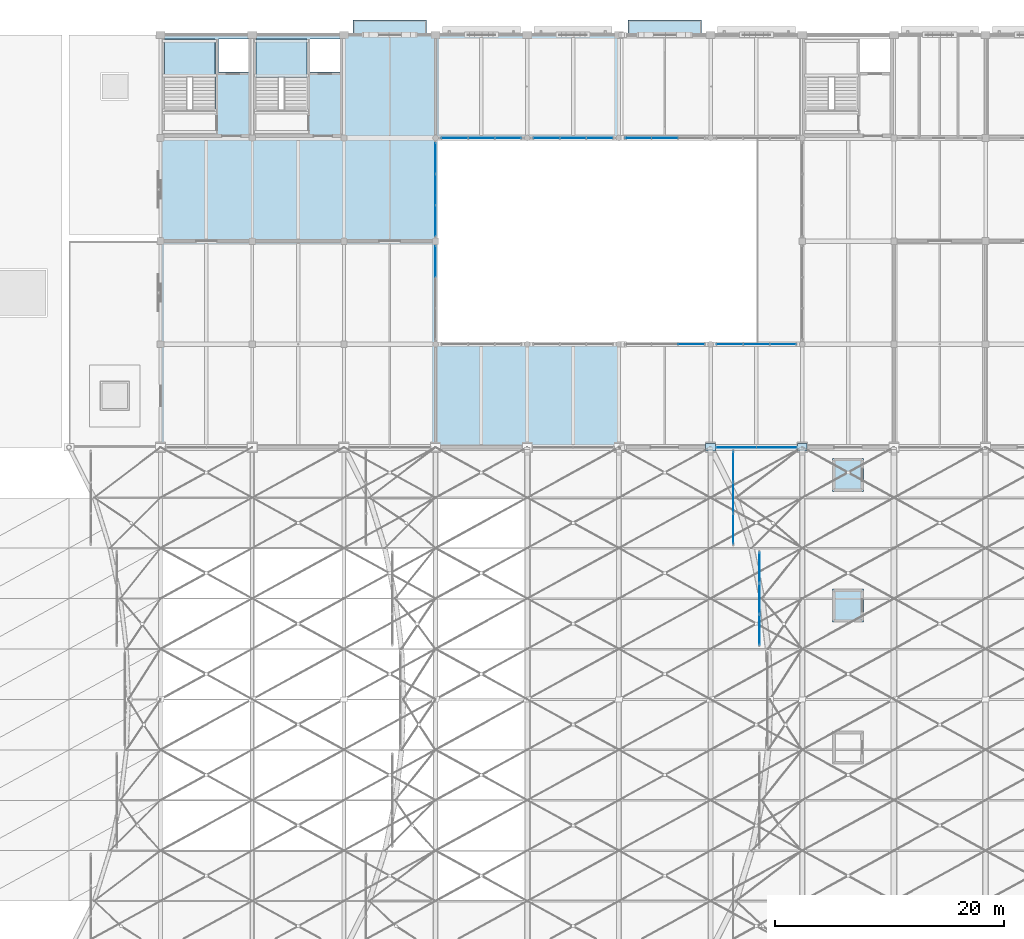
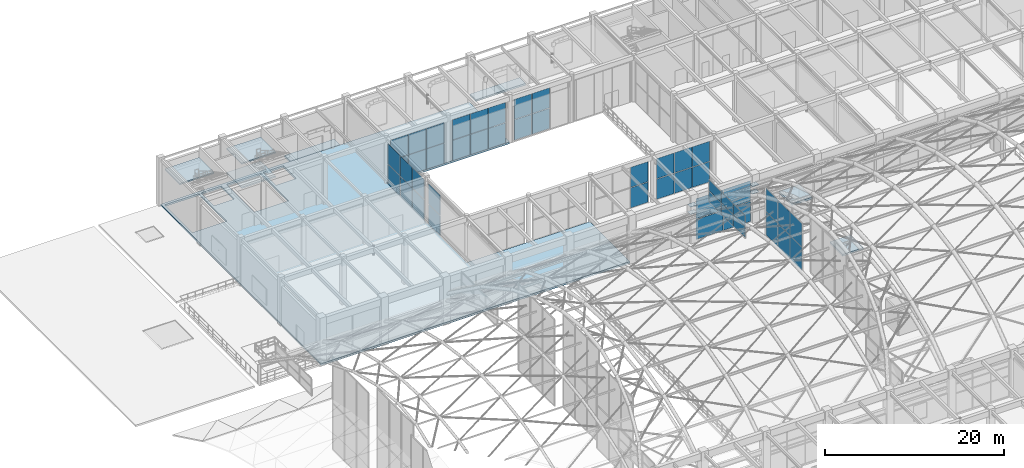
# One storey, part 116 of 163: 52 plates, 8 slabs, 12 elements without a shape of their own.
"""IFC4 building model written with IfcOpenShell, lengths in metres."""

from ifc_helpers import new_model, si_unit, direction, frame, origin, origin_2d, place, context, subcontext, project, spatial, polyline, rectangle, outline, extrude, material, layer, layer_set, type_object, element, aggregate, save


model = new_model("IFC4")

# Units and contexts
model_context = context("Model", 3, precision=1e-05, world=origin(), true_north=direction((0.0, 1.0)))
body_context = subcontext(model_context, "Body", "Model", "MODEL_VIEW")
ifc_project = project(units=[si_unit("LENGTHUNIT", "METRE"), si_unit("AREAUNIT", "SQUARE_METRE"), si_unit("VOLUMEUNIT", "CUBIC_METRE"), si_unit("PLANEANGLEUNIT", "RADIAN"), si_unit("MASSUNIT", "GRAM", prefix="KILO")], contexts=[model_context])

# Site, building, storey
site_placement = place(None, origin())
site = spatial("IfcSite", under=ifc_project, at=site_placement, CompositionType="ELEMENT")
building_placement = place(site_placement, origin())
building = spatial("IfcBuilding", under=site, at=building_placement, Name="Varnabhumi Central Station", CompositionType="ELEMENT")
storey_placement = place(building_placement, frame((0.0, 0.0, 9.60009765625)))
storey = spatial("IfcBuildingStorey", under=building, at=storey_placement, Name="L02", CompositionType="ELEMENT", Elevation=9.60009765625)

# Curtain wall, plates
ifc_material_1 = material(Name="Anodised aluminium 6063-T6", Category="aluminium")
curtain_wall_type_1 = type_object("IfcCurtainWallType", Name="CW-PATIO-LOGGIA-L2", PredefinedType="NOTDEFINED", material=ifc_material_1)
curtain_wall_1_placement = place(storey_placement, origin())
curtain_wall_1 = element("IfcCurtainWall", 1, at=curtain_wall_1_placement, inside=storey, type_object=curtain_wall_type_1, Name="Curtain Wall CW-NP2E1", PredefinedType="NOTDEFINED")
ifc_material_2 = material(Name="Laminated low-E double glazing", Category="glass")
ifc_layer_1 = layer(ifc_material_2, 0.035888671875, Name="Laminated low-E double glazing", Category="glass")
ifc_layer_set_1 = layer_set([ifc_layer_1], Name="Laminated low-E double glazing")
plate_type_1 = type_object("IfcPlateType", Name="CW-PNL-GLZ-2", PredefinedType="CURTAIN_PANEL", material=ifc_layer_set_1)
plate_1_placement = place(storey_placement, frame((48.0, 96.219970703125, 0.0400390625), z_axis=(0.0, 0.0, 1.0), x_axis=(0.0, 1.0, 0.0)))
plate_1 = element("IfcPlate", 2, at=plate_1_placement, type_object=plate_type_1, Name="Glazed Panel CW-NP2E1-P31", PredefinedType="CURTAIN_PANEL", context=body_context, shape_type="SweptSolid", body=[
    extrude(rectangle(XDim=2.639892578125, YDim=0.035888671875, at=origin_2d()), origin(), (0.0, 0.0, 1.0), 2.739990234375),
])
plate_2_placement = place(storey_placement, frame((48.0, 96.219970703125, 2.85986328125), z_axis=(0.0, 0.0, 1.0), x_axis=(0.0, 1.0, 0.0)))
plate_2 = element("IfcPlate", 3, at=plate_2_placement, type_object=plate_type_1, Name="Glazed Panel CW-NP2E1-P32", PredefinedType="CURTAIN_PANEL", context=body_context, shape_type="SweptSolid", body=[
    extrude(rectangle(XDim=2.639892578125, YDim=0.035888671875, at=origin_2d()), origin(), (0.0, 0.0, 1.0), 2.739990234375),
])
aggregate(curtain_wall_1, [plate_1, plate_2])

curtain_wall_2_placement = place(storey_placement, origin())
curtain_wall_2 = element("IfcCurtainWall", 4, at=curtain_wall_2_placement, inside=storey, type_object=curtain_wall_type_1, Name="Curtain Wall CW-NP2E2", PredefinedType="NOTDEFINED")
plate_3_placement = place(storey_placement, frame((48.0, 99.780029296875, 0.0400390625), z_axis=(0.0, 0.0, 1.0), x_axis=(0.0, 1.0, 0.0)))
plate_3 = element("IfcPlate", 5, at=plate_3_placement, type_object=plate_type_1, Name="Glazed Panel CW-NP2E2-P11", PredefinedType="CURTAIN_PANEL", context=body_context, shape_type="SweptSolid", body=[
    extrude(rectangle(XDim=2.639892578125, YDim=0.035888671875, at=origin_2d()), origin(), (0.0, 0.0, 1.0), 2.739990234375),
])
plate_4_placement = place(storey_placement, frame((48.0, 99.780029296875, 2.85986328125), z_axis=(0.0, 0.0, 1.0), x_axis=(0.0, 1.0, 0.0)))
plate_4 = element("IfcPlate", 6, at=plate_4_placement, type_object=plate_type_1, Name="Glazed Panel CW-NP2E2-P12", PredefinedType="CURTAIN_PANEL", context=body_context, shape_type="SweptSolid", body=[
    extrude(rectangle(XDim=2.639892578125, YDim=0.035888671875, at=origin_2d()), origin(), (0.0, 0.0, 1.0), 2.739990234375),
])
plate_5_placement = place(storey_placement, frame((48.0, 102.5, 0.0400390625), z_axis=(0.0, 0.0, 1.0), x_axis=(0.0, 1.0, 0.0)))
plate_5 = element("IfcPlate", 7, at=plate_5_placement, type_object=plate_type_1, Name="Glazed Panel CW-NP2E2-P21", PredefinedType="CURTAIN_PANEL", context=body_context, shape_type="SweptSolid", body=[
    extrude(rectangle(XDim=2.639892578125, YDim=0.035888671875, at=origin_2d()), origin(), (0.0, 0.0, 1.0), 2.739990234375),
])
plate_6_placement = place(storey_placement, frame((48.0, 102.5, 2.85986328125), z_axis=(0.0, 0.0, 1.0), x_axis=(0.0, 1.0, 0.0)))
plate_6 = element("IfcPlate", 8, at=plate_6_placement, type_object=plate_type_1, Name="Glazed Panel CW-NP2E2-P22", PredefinedType="CURTAIN_PANEL", context=body_context, shape_type="SweptSolid", body=[
    extrude(rectangle(XDim=2.639892578125, YDim=0.035888671875, at=origin_2d()), origin(), (0.0, 0.0, 1.0), 2.739990234375),
])
plate_7_placement = place(storey_placement, frame((48.0, 105.219970703125, 0.0400390625), z_axis=(0.0, 0.0, 1.0), x_axis=(0.0, 1.0, 0.0)))
plate_7 = element("IfcPlate", 9, at=plate_7_placement, type_object=plate_type_1, Name="Glazed Panel CW-NP2E2-P31", PredefinedType="CURTAIN_PANEL", context=body_context, shape_type="SweptSolid", body=[
    extrude(rectangle(XDim=2.639892578125, YDim=0.035888671875, at=origin_2d()), origin(), (0.0, 0.0, 1.0), 2.739990234375),
])
plate_8_placement = place(storey_placement, frame((48.0, 105.219970703125, 2.85986328125), z_axis=(0.0, 0.0, 1.0), x_axis=(0.0, 1.0, 0.0)))
plate_8 = element("IfcPlate", 10, at=plate_8_placement, type_object=plate_type_1, Name="Glazed Panel CW-NP2E2-P32", PredefinedType="CURTAIN_PANEL", context=body_context, shape_type="SweptSolid", body=[
    extrude(rectangle(XDim=2.639892578125, YDim=0.035888671875, at=origin_2d()), origin(), (0.0, 0.0, 1.0), 2.739990234375),
])
aggregate(curtain_wall_2, [plate_3, plate_4, plate_5, plate_6, plate_7, plate_8])

curtain_wall_3_placement = place(storey_placement, origin())
curtain_wall_3 = element("IfcCurtainWall", 11, at=curtain_wall_3_placement, inside=storey, type_object=curtain_wall_type_1, Name="Curtain Wall CW-NP2N1", PredefinedType="NOTDEFINED")
ifc_layer_2 = layer(ifc_material_2, 0.035888671875, Name="Laminated low-E double glazing", Category="glass")
ifc_layer_set_2 = layer_set([ifc_layer_2], Name="Laminated low-E double glazing")
plate_type_2 = type_object("IfcPlateType", Name="CW-PNL-GLZ-3", PredefinedType="CURTAIN_PANEL", material=ifc_layer_set_2)
plate_9_placement = place(storey_placement, frame((49.679931640625, 107.0, 0.0400390625), z_axis=(0.0, 0.0, 1.0), x_axis=(1.0, 0.0, 0.0)))
plate_9 = element("IfcPlate", 12, at=plate_9_placement, type_object=plate_type_2, Name="Glazed Panel CW-NP2N1-P11", PredefinedType="CURTAIN_PANEL", context=body_context, shape_type="SweptSolid", body=[
    extrude(rectangle(XDim=2.239990234375, YDim=0.035888671875, at=origin_2d()), origin(), (0.0, 0.0, 1.0), 2.739990234375),
])
plate_10_placement = place(storey_placement, frame((49.679931640625, 107.0, 2.85986328125), z_axis=(0.0, 0.0, 1.0), x_axis=(1.0, 0.0, 0.0)))
plate_10 = element("IfcPlate", 13, at=plate_10_placement, type_object=plate_type_2, Name="Glazed Panel CW-NP2N1-P12", PredefinedType="CURTAIN_PANEL", context=body_context, shape_type="SweptSolid", body=[
    extrude(rectangle(XDim=2.239990234375, YDim=0.035888671875, at=origin_2d()), origin(), (0.0, 0.0, 1.0), 2.739990234375),
])
plate_11_placement = place(storey_placement, frame((52.0, 107.0, 0.0400390625), z_axis=(0.0, 0.0, 1.0), x_axis=(1.0, 0.0, 0.0)))
plate_11 = element("IfcPlate", 14, at=plate_11_placement, type_object=plate_type_2, Name="Glazed Panel CW-NP2N1-P21", PredefinedType="CURTAIN_PANEL", context=body_context, shape_type="SweptSolid", body=[
    extrude(rectangle(XDim=2.239990234375, YDim=0.035888671875, at=origin_2d()), origin(), (0.0, 0.0, 1.0), 2.739990234375),
])
plate_12_placement = place(storey_placement, frame((52.0, 107.0, 2.85986328125), z_axis=(0.0, 0.0, 1.0), x_axis=(1.0, 0.0, 0.0)))
plate_12 = element("IfcPlate", 15, at=plate_12_placement, type_object=plate_type_2, Name="Glazed Panel CW-NP2N1-P22", PredefinedType="CURTAIN_PANEL", context=body_context, shape_type="SweptSolid", body=[
    extrude(rectangle(XDim=2.239990234375, YDim=0.035888671875, at=origin_2d()), origin(), (0.0, 0.0, 1.0), 2.739990234375),
])
plate_13_placement = place(storey_placement, frame((54.320068359375, 107.0, 0.0400390625), z_axis=(0.0, 0.0, 1.0), x_axis=(1.0, 0.0, 0.0)))
plate_13 = element("IfcPlate", 16, at=plate_13_placement, type_object=plate_type_2, Name="Glazed Panel CW-NP2N1-P31", PredefinedType="CURTAIN_PANEL", context=body_context, shape_type="SweptSolid", body=[
    extrude(rectangle(XDim=2.239990234375, YDim=0.035888671875, at=origin_2d()), origin(), (0.0, 0.0, 1.0), 2.739990234375),
])
plate_14_placement = place(storey_placement, frame((54.320068359375, 107.0, 2.85986328125), z_axis=(0.0, 0.0, 1.0), x_axis=(1.0, 0.0, 0.0)))
plate_14 = element("IfcPlate", 17, at=plate_14_placement, type_object=plate_type_2, Name="Glazed Panel CW-NP2N1-P32", PredefinedType="CURTAIN_PANEL", context=body_context, shape_type="SweptSolid", body=[
    extrude(rectangle(XDim=2.239990234375, YDim=0.035888671875, at=origin_2d()), origin(), (0.0, 0.0, 1.0), 2.739990234375),
])
aggregate(curtain_wall_3, [plate_9, plate_10, plate_11, plate_12, plate_13, plate_14])

curtain_wall_4_placement = place(storey_placement, origin())
curtain_wall_4 = element("IfcCurtainWall", 18, at=curtain_wall_4_placement, inside=storey, type_object=curtain_wall_type_1, Name="Curtain Wall CW-NP2N2", PredefinedType="NOTDEFINED")
ifc_layer_3 = layer(ifc_material_2, 0.035888671875, Name="Laminated low-E double glazing", Category="glass")
ifc_layer_set_3 = layer_set([ifc_layer_3], Name="Laminated low-E double glazing")
plate_type_3 = type_object("IfcPlateType", Name="CW-PNL-GLZ-4", PredefinedType="CURTAIN_PANEL", material=ifc_layer_set_3)
plate_15_placement = place(storey_placement, frame((57.679931640625, 107.0, 0.0400390625), z_axis=(0.0, 0.0, 1.0), x_axis=(1.0, 0.0, 0.0)))
plate_15 = element("IfcPlate", 19, at=plate_15_placement, type_object=plate_type_3, Name="Glazed Panel CW-NP2N2-P11", PredefinedType="CURTAIN_PANEL", context=body_context, shape_type="SweptSolid", body=[
    extrude(rectangle(XDim=2.239990234375, YDim=0.035888671875, at=origin_2d()), origin(), (0.0, 0.0, 1.0), 2.739990234375),
])
plate_16_placement = place(storey_placement, frame((57.679931640625, 107.0, 2.85986328125), z_axis=(0.0, 0.0, 1.0), x_axis=(1.0, 0.0, 0.0)))
plate_16 = element("IfcPlate", 20, at=plate_16_placement, type_object=plate_type_3, Name="Glazed Panel CW-NP2N2-P12", PredefinedType="CURTAIN_PANEL", context=body_context, shape_type="SweptSolid", body=[
    extrude(rectangle(XDim=2.239990234375, YDim=0.035888671875, at=origin_2d()), origin(), (0.0, 0.0, 1.0), 2.739990234375),
])
plate_17_placement = place(storey_placement, frame((60.0, 107.0, 0.0400390625), z_axis=(0.0, 0.0, 1.0), x_axis=(1.0, 0.0, 0.0)))
plate_17 = element("IfcPlate", 21, at=plate_17_placement, type_object=plate_type_3, Name="Glazed Panel CW-NP2N2-P21", PredefinedType="CURTAIN_PANEL", context=body_context, shape_type="SweptSolid", body=[
    extrude(rectangle(XDim=2.239990234375, YDim=0.035888671875, at=origin_2d()), origin(), (0.0, 0.0, 1.0), 2.739990234375),
])
plate_18_placement = place(storey_placement, frame((60.0, 107.0, 2.85986328125), z_axis=(0.0, 0.0, 1.0), x_axis=(1.0, 0.0, 0.0)))
plate_18 = element("IfcPlate", 22, at=plate_18_placement, type_object=plate_type_3, Name="Glazed Panel CW-NP2N2-P22", PredefinedType="CURTAIN_PANEL", context=body_context, shape_type="SweptSolid", body=[
    extrude(rectangle(XDim=2.239990234375, YDim=0.035888671875, at=origin_2d()), origin(), (0.0, 0.0, 1.0), 2.739990234375),
])
plate_19_placement = place(storey_placement, frame((62.320068359375, 107.0, 0.0400390625), z_axis=(0.0, 0.0, 1.0), x_axis=(1.0, 0.0, 0.0)))
plate_19 = element("IfcPlate", 23, at=plate_19_placement, type_object=plate_type_3, Name="Glazed Panel CW-NP2N2-P31", PredefinedType="CURTAIN_PANEL", context=body_context, shape_type="SweptSolid", body=[
    extrude(rectangle(XDim=2.239990234375, YDim=0.035888671875, at=origin_2d()), origin(), (0.0, 0.0, 1.0), 2.739990234375),
])
plate_20_placement = place(storey_placement, frame((62.320068359375, 107.0, 2.85986328125), z_axis=(0.0, 0.0, 1.0), x_axis=(1.0, 0.0, 0.0)))
plate_20 = element("IfcPlate", 24, at=plate_20_placement, type_object=plate_type_3, Name="Glazed Panel CW-NP2N2-P32", PredefinedType="CURTAIN_PANEL", context=body_context, shape_type="SweptSolid", body=[
    extrude(rectangle(XDim=2.239990234375, YDim=0.035888671875, at=origin_2d()), origin(), (0.0, 0.0, 1.0), 2.739990234375),
])
aggregate(curtain_wall_4, [plate_15, plate_16, plate_17, plate_18, plate_19, plate_20])

curtain_wall_type_2 = type_object("IfcCurtainWallType", Name="CW-SPINE-SCREEN-L2", PredefinedType="NOTDEFINED", material=ifc_material_1)
curtain_wall_5_placement = place(storey_placement, origin())
curtain_wall_5 = element("IfcCurtainWall", 25, at=curtain_wall_5_placement, inside=storey, type_object=curtain_wall_type_2, Name="Curtain Wall CW-NS206", PredefinedType="NOTDEFINED")
ifc_layer_4 = layer(ifc_material_2, 0.035888671875, Name="Laminated low-E double glazing", Category="glass")
ifc_layer_set_4 = layer_set([ifc_layer_4], Name="Laminated low-E double glazing")
plate_type_4 = type_object("IfcPlateType", Name="CW-PNL-GLZ-5", PredefinedType="CURTAIN_PANEL", material=ifc_layer_set_4)
plate_21_placement = place(storey_placement, frame((74.22509765625, 80.0, 0.0400390625), z_axis=(0.0, 0.0, 1.0), x_axis=(1.0, 0.0, 0.0)))
plate_21 = element("IfcPlate", 26, at=plate_21_placement, type_object=plate_type_4, Name="Glazed Panel CW-NS206-P11", PredefinedType="CURTAIN_PANEL", context=body_context, shape_type="SweptSolid", body=[
    extrude(rectangle(XDim=3.469970703125, YDim=0.035888671875, at=origin_2d()), origin(), (0.0, 0.0, 1.0), 2.739990234375),
])
plate_22_placement = place(storey_placement, frame((74.22509765625, 80.0, 2.85986328125), z_axis=(0.0, 0.0, 1.0), x_axis=(1.0, 0.0, 0.0)))
plate_22 = element("IfcPlate", 27, at=plate_22_placement, type_object=plate_type_4, Name="Glazed Panel CW-NS206-P12", PredefinedType="CURTAIN_PANEL", context=body_context, shape_type="SweptSolid", body=[
    extrude(rectangle(XDim=3.469970703125, YDim=0.035888671875, at=origin_2d()), origin(), (0.0, 0.0, 1.0), 2.739990234375),
])
plate_23_placement = place(storey_placement, frame((77.77490234375, 80.0, 0.0400390625), z_axis=(0.0, 0.0, 1.0), x_axis=(1.0, 0.0, 0.0)))
plate_23 = element("IfcPlate", 28, at=plate_23_placement, type_object=plate_type_4, Name="Glazed Panel CW-NS206-P21", PredefinedType="CURTAIN_PANEL", context=body_context, shape_type="SweptSolid", body=[
    extrude(rectangle(XDim=3.469970703125, YDim=0.035888671875, at=origin_2d()), origin(), (0.0, 0.0, 1.0), 2.739990234375),
])
plate_24_placement = place(storey_placement, frame((77.77490234375, 80.0, 2.85986328125), z_axis=(0.0, 0.0, 1.0), x_axis=(1.0, 0.0, 0.0)))
plate_24 = element("IfcPlate", 29, at=plate_24_placement, type_object=plate_type_4, Name="Glazed Panel CW-NS206-P22", PredefinedType="CURTAIN_PANEL", context=body_context, shape_type="SweptSolid", body=[
    extrude(rectangle(XDim=3.469970703125, YDim=0.035888671875, at=origin_2d()), origin(), (0.0, 0.0, 1.0), 2.739990234375),
])
aggregate(curtain_wall_5, [plate_21, plate_22, plate_23, plate_24])

curtain_wall_6_placement = place(storey_placement, origin())
curtain_wall_6 = element("IfcCurtainWall", 30, at=curtain_wall_6_placement, inside=storey, type_object=curtain_wall_type_1, Name="Curtain Wall CW-NP2S3", PredefinedType="NOTDEFINED")
plate_25_placement = place(storey_placement, frame((70.320068359375, 89.0, 0.0400390625), z_axis=(0.0, 0.0, 1.0), x_axis=(1.0, 0.0, 0.0)))
plate_25 = element("IfcPlate", 31, at=plate_25_placement, type_object=plate_type_4, Name="Glazed Panel CW-NP2S3-P31", PredefinedType="CURTAIN_PANEL", context=body_context, shape_type="SweptSolid", body=[
    extrude(rectangle(XDim=2.239990234375, YDim=0.035888671875, at=origin_2d()), origin(), (0.0, 0.0, 1.0), 2.739990234375),
])
plate_26_placement = place(storey_placement, frame((70.320068359375, 89.0, 2.85986328125), z_axis=(0.0, 0.0, 1.0), x_axis=(1.0, 0.0, 0.0)))
plate_26 = element("IfcPlate", 32, at=plate_26_placement, type_object=plate_type_4, Name="Glazed Panel CW-NP2S3-P32", PredefinedType="CURTAIN_PANEL", context=body_context, shape_type="SweptSolid", body=[
    extrude(rectangle(XDim=2.239990234375, YDim=0.035888671875, at=origin_2d()), origin(), (0.0, 0.0, 1.0), 2.739990234375),
])
aggregate(curtain_wall_6, [plate_25, plate_26])

curtain_wall_7_placement = place(storey_placement, origin())
curtain_wall_7 = element("IfcCurtainWall", 33, at=curtain_wall_7_placement, inside=storey, type_object=curtain_wall_type_1, Name="Curtain Wall CW-NP2N3", PredefinedType="NOTDEFINED")
plate_27_placement = place(storey_placement, frame((65.679931640625, 107.0, 0.0400390625), z_axis=(0.0, 0.0, 1.0), x_axis=(1.0, 0.0, 0.0)))
plate_27 = element("IfcPlate", 34, at=plate_27_placement, type_object=plate_type_4, Name="Glazed Panel CW-NP2N3-P11", PredefinedType="CURTAIN_PANEL", context=body_context, shape_type="SweptSolid", body=[
    extrude(rectangle(XDim=2.239990234375, YDim=0.035888671875, at=origin_2d()), origin(), (0.0, 0.0, 1.0), 2.739990234375),
])
plate_28_placement = place(storey_placement, frame((65.679931640625, 107.0, 2.85986328125), z_axis=(0.0, 0.0, 1.0), x_axis=(1.0, 0.0, 0.0)))
plate_28 = element("IfcPlate", 35, at=plate_28_placement, type_object=plate_type_4, Name="Glazed Panel CW-NP2N3-P12", PredefinedType="CURTAIN_PANEL", context=body_context, shape_type="SweptSolid", body=[
    extrude(rectangle(XDim=2.239990234375, YDim=0.035888671875, at=origin_2d()), origin(), (0.0, 0.0, 1.0), 2.739990234375),
])
plate_29_placement = place(storey_placement, frame((68.0, 107.0, 0.0400390625), z_axis=(0.0, 0.0, 1.0), x_axis=(1.0, 0.0, 0.0)))
plate_29 = element("IfcPlate", 36, at=plate_29_placement, type_object=plate_type_4, Name="Glazed Panel CW-NP2N3-P21", PredefinedType="CURTAIN_PANEL", context=body_context, shape_type="SweptSolid", body=[
    extrude(rectangle(XDim=2.239990234375, YDim=0.035888671875, at=origin_2d()), origin(), (0.0, 0.0, 1.0), 2.739990234375),
])
plate_30_placement = place(storey_placement, frame((68.0, 107.0, 2.85986328125), z_axis=(0.0, 0.0, 1.0), x_axis=(1.0, 0.0, 0.0)))
plate_30 = element("IfcPlate", 37, at=plate_30_placement, type_object=plate_type_4, Name="Glazed Panel CW-NP2N3-P22", PredefinedType="CURTAIN_PANEL", context=body_context, shape_type="SweptSolid", body=[
    extrude(rectangle(XDim=2.239990234375, YDim=0.035888671875, at=origin_2d()), origin(), (0.0, 0.0, 1.0), 2.739990234375),
])
aggregate(curtain_wall_7, [plate_27, plate_28, plate_29, plate_30])

curtain_wall_8_placement = place(storey_placement, origin())
curtain_wall_8 = element("IfcCurtainWall", 38, at=curtain_wall_8_placement, inside=storey, type_object=curtain_wall_type_1, Name="Curtain Wall CW-NP2S4", PredefinedType="NOTDEFINED")
ifc_layer_5 = layer(ifc_material_2, 0.035888671875, Name="Laminated low-E double glazing", Category="glass")
ifc_layer_set_5 = layer_set([ifc_layer_5], Name="Laminated low-E double glazing")
plate_type_5 = type_object("IfcPlateType", Name="CW-PNL-GLZ-6", PredefinedType="CURTAIN_PANEL", material=ifc_layer_set_5)
plate_31_placement = place(storey_placement, frame((73.679931640625, 89.0, 0.0400390625), z_axis=(0.0, 0.0, 1.0), x_axis=(1.0, 0.0, 0.0)))
plate_31 = element("IfcPlate", 39, at=plate_31_placement, type_object=plate_type_5, Name="Glazed Panel CW-NP2S4-P11", PredefinedType="CURTAIN_PANEL", context=body_context, shape_type="SweptSolid", body=[
    extrude(rectangle(XDim=2.239990234375, YDim=0.035888671875, at=origin_2d()), origin(), (0.0, 0.0, 1.0), 2.739990234375),
])
plate_32_placement = place(storey_placement, frame((73.679931640625, 89.0, 2.85986328125), z_axis=(0.0, 0.0, 1.0), x_axis=(1.0, 0.0, 0.0)))
plate_32 = element("IfcPlate", 40, at=plate_32_placement, type_object=plate_type_5, Name="Glazed Panel CW-NP2S4-P12", PredefinedType="CURTAIN_PANEL", context=body_context, shape_type="SweptSolid", body=[
    extrude(rectangle(XDim=2.239990234375, YDim=0.035888671875, at=origin_2d()), origin(), (0.0, 0.0, 1.0), 2.739990234375),
])
plate_33_placement = place(storey_placement, frame((76.0, 89.0, 0.0400390625), z_axis=(0.0, 0.0, 1.0), x_axis=(1.0, 0.0, 0.0)))
plate_33 = element("IfcPlate", 41, at=plate_33_placement, type_object=plate_type_5, Name="Glazed Panel CW-NP2S4-P21", PredefinedType="CURTAIN_PANEL", context=body_context, shape_type="SweptSolid", body=[
    extrude(rectangle(XDim=2.239990234375, YDim=0.035888671875, at=origin_2d()), origin(), (0.0, 0.0, 1.0), 2.739990234375),
])
plate_34_placement = place(storey_placement, frame((76.0, 89.0, 2.85986328125), z_axis=(0.0, 0.0, 1.0), x_axis=(1.0, 0.0, 0.0)))
plate_34 = element("IfcPlate", 42, at=plate_34_placement, type_object=plate_type_5, Name="Glazed Panel CW-NP2S4-P22", PredefinedType="CURTAIN_PANEL", context=body_context, shape_type="SweptSolid", body=[
    extrude(rectangle(XDim=2.239990234375, YDim=0.035888671875, at=origin_2d()), origin(), (0.0, 0.0, 1.0), 2.739990234375),
])
plate_35_placement = place(storey_placement, frame((78.320068359375, 89.0, 0.0400390625), z_axis=(0.0, 0.0, 1.0), x_axis=(1.0, 0.0, 0.0)))
plate_35 = element("IfcPlate", 43, at=plate_35_placement, type_object=plate_type_5, Name="Glazed Panel CW-NP2S4-P31", PredefinedType="CURTAIN_PANEL", context=body_context, shape_type="SweptSolid", body=[
    extrude(rectangle(XDim=2.239990234375, YDim=0.035888671875, at=origin_2d()), origin(), (0.0, 0.0, 1.0), 2.739990234375),
])
plate_36_placement = place(storey_placement, frame((78.320068359375, 89.0, 2.85986328125), z_axis=(0.0, 0.0, 1.0), x_axis=(1.0, 0.0, 0.0)))
plate_36 = element("IfcPlate", 44, at=plate_36_placement, type_object=plate_type_5, Name="Glazed Panel CW-NP2S4-P32", PredefinedType="CURTAIN_PANEL", context=body_context, shape_type="SweptSolid", body=[
    extrude(rectangle(XDim=2.239990234375, YDim=0.035888671875, at=origin_2d()), origin(), (0.0, 0.0, 1.0), 2.739990234375),
])
aggregate(curtain_wall_8, [plate_31, plate_32, plate_33, plate_34, plate_35, plate_36])

curtain_wall_type_3 = type_object("IfcCurtainWallType", Name="CW-VAULT-ARCH-V4", PredefinedType="NOTDEFINED", material=ifc_material_1)
curtain_wall_9_placement = place(storey_placement, origin())
curtain_wall_9 = element("IfcCurtainWall", 45, at=curtain_wall_9_placement, inside=storey, type_object=curtain_wall_type_3, Name="Curtain Wall CW-V44", PredefinedType="NOTDEFINED")
ifc_layer_6 = layer(ifc_material_2, 0.035888671875, Name="Laminated low-E double glazing", Category="glass")
ifc_layer_set_6 = layer_set([ifc_layer_6], Name="Laminated low-E double glazing")
plate_type_6 = type_object("IfcPlateType", Name="CW-PNL-GLZ-9", PredefinedType="CURTAIN_PANEL", material=ifc_layer_set_6)
plate_37_placement = place(storey_placement, frame((76.258056640625, 64.10009765625, 4.889892578125), z_axis=(0.0, 0.0, 1.0), x_axis=(0.0, 1.0, 0.0)))
plate_37 = element("IfcPlate", 46, at=plate_37_placement, type_object=plate_type_6, Name="Glazed Panel CW-V44-P11", PredefinedType="CURTAIN_PANEL", context=body_context, shape_type="SweptSolid", body=[
    extrude(rectangle(XDim=2.6201171875, YDim=0.035888671875, at=origin_2d()), origin(), (0.0, 0.0, 1.0), 3.16357421875),
])
plate_38_placement = place(storey_placement, frame((76.258056640625, 64.10009765625, 8.133544921875), z_axis=(0.0, 0.0, 1.0), x_axis=(0.0, 1.0, 0.0)))
plate_38 = element("IfcPlate", 47, at=plate_38_placement, type_object=plate_type_6, Name="Glazed Panel CW-V44-P12", PredefinedType="CURTAIN_PANEL", context=body_context, shape_type="SweptSolid", body=[
    extrude(rectangle(XDim=2.6201171875, YDim=0.035888671875, at=origin_2d()), origin(), (0.0, 0.0, 1.0), 3.16357421875),
])
plate_39_placement = place(storey_placement, frame((76.258056640625, 66.800048828125, 4.889892578125), z_axis=(0.0, 0.0, 1.0), x_axis=(0.0, 1.0, 0.0)))
plate_39 = element("IfcPlate", 48, at=plate_39_placement, type_object=plate_type_6, Name="Glazed Panel CW-V44-P21", PredefinedType="CURTAIN_PANEL", context=body_context, shape_type="SweptSolid", body=[
    extrude(rectangle(XDim=2.6201171875, YDim=0.035888671875, at=origin_2d()), origin(), (0.0, 0.0, 1.0), 3.16357421875),
])
plate_40_placement = place(storey_placement, frame((76.258056640625, 66.800048828125, 8.133544921875), z_axis=(0.0, 0.0, 1.0), x_axis=(0.0, 1.0, 0.0)))
plate_40 = element("IfcPlate", 49, at=plate_40_placement, type_object=plate_type_6, Name="Glazed Panel CW-V44-P22", PredefinedType="CURTAIN_PANEL", context=body_context, shape_type="SweptSolid", body=[
    extrude(rectangle(XDim=2.6201171875, YDim=0.035888671875, at=origin_2d()), origin(), (0.0, 0.0, 1.0), 3.16357421875),
])
plate_41_placement = place(storey_placement, frame((76.258056640625, 69.5, 4.889892578125), z_axis=(0.0, 0.0, 1.0), x_axis=(0.0, 1.0, 0.0)))
plate_41 = element("IfcPlate", 50, at=plate_41_placement, type_object=plate_type_6, Name="Glazed Panel CW-V44-P31", PredefinedType="CURTAIN_PANEL", context=body_context, shape_type="SweptSolid", body=[
    extrude(rectangle(XDim=2.6201171875, YDim=0.035888671875, at=origin_2d()), origin(), (0.0, 0.0, 1.0), 3.16357421875),
])
plate_42_placement = place(storey_placement, frame((76.258056640625, 69.5, 8.133544921875), z_axis=(0.0, 0.0, 1.0), x_axis=(0.0, 1.0, 0.0)))
plate_42 = element("IfcPlate", 51, at=plate_42_placement, type_object=plate_type_6, Name="Glazed Panel CW-V44-P32", PredefinedType="CURTAIN_PANEL", context=body_context, shape_type="SweptSolid", body=[
    extrude(rectangle(XDim=2.6201171875, YDim=0.035888671875, at=origin_2d()), origin(), (0.0, 0.0, 1.0), 3.16357421875),
])
aggregate(curtain_wall_9, [plate_37, plate_38, plate_39, plate_40, plate_41, plate_42])

curtain_wall_10_placement = place(storey_placement, origin())
curtain_wall_10 = element("IfcCurtainWall", 52, at=curtain_wall_10_placement, inside=storey, type_object=curtain_wall_type_3, Name="Curtain Wall CW-V45", PredefinedType="NOTDEFINED")
plate_43_placement = place(storey_placement, frame((73.98095703125, 72.89990234375, 4.889892578125), z_axis=(0.0, 0.0, 1.0), x_axis=(0.0, 1.0, 0.0)))
plate_43 = element("IfcPlate", 53, at=plate_43_placement, type_object=plate_type_6, Name="Glazed Panel CW-V45-P11", PredefinedType="CURTAIN_PANEL", context=body_context, shape_type="SweptSolid", body=[
    extrude(rectangle(XDim=2.6201171875, YDim=0.035888671875, at=origin_2d()), origin(), (0.0, 0.0, 1.0), 1.45556640625),
])
plate_44_placement = place(storey_placement, frame((73.98095703125, 72.89990234375, 6.42529296875), z_axis=(0.0, 0.0, 1.0), x_axis=(0.0, 1.0, 0.0)))
plate_44 = element("IfcPlate", 54, at=plate_44_placement, type_object=plate_type_6, Name="Glazed Panel CW-V45-P12", PredefinedType="CURTAIN_PANEL", context=body_context, shape_type="SweptSolid", body=[
    extrude(rectangle(XDim=2.6201171875, YDim=0.035888671875, at=origin_2d()), origin(), (0.0, 0.0, 1.0), 1.45556640625),
])
plate_45_placement = place(storey_placement, frame((73.98095703125, 75.60009765625, 4.889892578125), z_axis=(0.0, 0.0, 1.0), x_axis=(0.0, 1.0, 0.0)))
plate_45 = element("IfcPlate", 55, at=plate_45_placement, type_object=plate_type_6, Name="Glazed Panel CW-V45-P21", PredefinedType="CURTAIN_PANEL", context=body_context, shape_type="SweptSolid", body=[
    extrude(rectangle(XDim=2.6201171875, YDim=0.035888671875, at=origin_2d()), origin(), (0.0, 0.0, 1.0), 1.45556640625),
])
plate_46_placement = place(storey_placement, frame((73.98095703125, 75.60009765625, 6.42529296875), z_axis=(0.0, 0.0, 1.0), x_axis=(0.0, 1.0, 0.0)))
plate_46 = element("IfcPlate", 56, at=plate_46_placement, type_object=plate_type_6, Name="Glazed Panel CW-V45-P22", PredefinedType="CURTAIN_PANEL", context=body_context, shape_type="SweptSolid", body=[
    extrude(rectangle(XDim=2.6201171875, YDim=0.035888671875, at=origin_2d()), origin(), (0.0, 0.0, 1.0), 1.45556640625),
])
plate_47_placement = place(storey_placement, frame((73.98095703125, 78.300048828125, 4.889892578125), z_axis=(0.0, 0.0, 1.0), x_axis=(0.0, 1.0, 0.0)))
plate_47 = element("IfcPlate", 57, at=plate_47_placement, type_object=plate_type_6, Name="Glazed Panel CW-V45-P31", PredefinedType="CURTAIN_PANEL", context=body_context, shape_type="SweptSolid", body=[
    extrude(rectangle(XDim=2.6201171875, YDim=0.035888671875, at=origin_2d()), origin(), (0.0, 0.0, 1.0), 1.45556640625),
])
plate_48_placement = place(storey_placement, frame((73.98095703125, 78.300048828125, 6.42529296875), z_axis=(0.0, 0.0, 1.0), x_axis=(0.0, 1.0, 0.0)))
plate_48 = element("IfcPlate", 58, at=plate_48_placement, type_object=plate_type_6, Name="Glazed Panel CW-V45-P32", PredefinedType="CURTAIN_PANEL", context=body_context, shape_type="SweptSolid", body=[
    extrude(rectangle(XDim=2.6201171875, YDim=0.035888671875, at=origin_2d()), origin(), (0.0, 0.0, 1.0), 1.45556640625),
])
aggregate(curtain_wall_10, [plate_43, plate_44, plate_45, plate_46, plate_47, plate_48])

# Plates
ifc_material_3 = material(Name="Structural steel E350", Category="steel")
ifc_layer_7 = layer(ifc_material_3, 0.031982421875, Name="Structural steel E350", Category="steel")
ifc_layer_set_7 = layer_set([ifc_layer_7], Name="Structural steel E350")
plate_type_7 = type_object("IfcPlateType", Name="PLT-GUSSET-A", PredefinedType="USERDEFINED", material=ifc_layer_set_7)
for number, where, z_axis, x_axis, name in (
    (59, (72.0, 80.0, 3.93408203125), (0.0, 0.0, 1.0), (1.0, 0.0, 0.0), "Ticket Hall Vault Arch Springing Gusset 5-N"),
    (60, (80.0, 80.0, 3.93408203125), (0.0, 0.0, 1.0), (1.0, 0.0, 0.0), "Ticket Hall Vault Arch Springing Gusset 6-N"),
    (61, (72.0, 80.0, 4.93408203125), (0.0, 0.0, 1.0), (1.0, 0.0, 0.0), "Departure Concourse Vault Arch Springing Gusset 1-N"),
    (62, (80.0, 80.0, 4.93408203125), (0.0, 0.0, 1.0), (1.0, 0.0, 0.0), "Departure Concourse Vault Arch Springing Gusset 2-N"),
):
    element("IfcPlate", number, at=place(storey_placement, frame(where, z_axis=z_axis, x_axis=x_axis)), inside=storey, type_object=plate_type_7, Name=name, ObjectType="GUSSET PLATE", PredefinedType="USERDEFINED", context=body_context, shape_type="SweptSolid", body=[
        extrude(rectangle(XDim=0.85009765625, YDim=0.64990234375, at=origin_2d()), origin(), (0.0, 0.0, 1.0), 0.031982421875),
    ])

# Slabs
ifc_material_4 = material(Name="Concrete M40", Category="concrete")
ifc_layer_8 = layer(ifc_material_4, 0.25, Name="Concrete M40", Category="concrete")
ifc_layer_set_8 = layer_set([ifc_layer_8], Name="Concrete M40")
slab_type_1 = type_object("IfcSlabType", Name="SLB-AZOTEA-200", PredefinedType="ROOF", material=ifc_layer_set_8)
slab_1_placement = place(storey_placement, frame((0.0, 0.0, -0.25)))
element("IfcSlab", 63, at=slab_1_placement, inside=storey, type_object=slab_type_1, Name="Azotea Roof Garden Slab L02-9", PredefinedType="ROOF", context=body_context, shape_type="SweptSolid", body=[
    extrude(outline(polyline([(40.800048828125, 116.0), (47.199951171875, 116.0), (47.199951171875, 117.300048828125), (40.800048828125, 117.300048828125), (40.800048828125, 116.0)])), origin(), (0.0, 0.0, 1.0), 0.25),
])
slab_2_placement = place(storey_placement, frame((0.0, 0.0, -0.25)))
element("IfcSlab", 64, at=slab_2_placement, inside=storey, type_object=slab_type_1, Name="Azotea Roof Garden Slab L02-10", PredefinedType="ROOF", context=body_context, shape_type="SweptSolid", body=[
    extrude(outline(polyline([(64.800048828125, 116.0), (71.199951171875, 116.0), (71.199951171875, 117.300048828125), (64.800048828125, 117.300048828125), (64.800048828125, 116.0)])), origin(), (0.0, 0.0, 1.0), 0.25),
])
slab_3_placement = place(storey_placement, frame((0.0, 0.0, 3.39990234375)))
element("IfcSlab", 65, at=slab_3_placement, inside=storey, type_object=slab_type_1, Name="Platform Lift Overrun Roof Cap PL-3", PredefinedType="ROOF", context=body_context, shape_type="SweptSolid", body=[
    extrude(outline(polyline([(82.659912109375, 64.760009765625), (85.340087890625, 64.760009765625), (85.340087890625, 67.639892578125), (82.659912109375, 67.639892578125), (82.659912109375, 64.760009765625)])), origin(), (0.0, 0.0, 1.0), 0.25),
])
slab_4_placement = place(storey_placement, frame((0.0, 0.0, 3.39990234375)))
element("IfcSlab", 66, at=slab_4_placement, inside=storey, type_object=slab_type_1, Name="Platform Lift Overrun Roof Cap PL-4", PredefinedType="ROOF", context=body_context, shape_type="SweptSolid", body=[
    extrude(outline(polyline([(82.659912109375, 76.159912109375), (85.340087890625, 76.159912109375), (85.340087890625, 79.0400390625), (82.659912109375, 79.0400390625), (82.659912109375, 76.159912109375)])), origin(), (0.0, 0.0, 1.0), 0.25),
])

# Stair, slab
stair_type = type_object("IfcStairType", Name="STR-CORE-6600", PredefinedType="DOUBLE_RETURN_STAIR", material=ifc_material_4)
stair_1_placement = place(storey_placement, origin())
stair_1 = element("IfcStair", 67, at=stair_1_placement, inside=storey, type_object=stair_type, Name="Core Stair ST-N1 (L02)", PredefinedType="DOUBLE_RETURN_STAIR")
ifc_layer_9 = layer(ifc_material_4, 0.179931640625, Name="Concrete M40", Category="concrete")
ifc_layer_set_9 = layer_set([ifc_layer_9], Name="Concrete M40")
slab_type_2 = type_object("IfcSlabType", Name="SLB-STAIR-LAND", PredefinedType="LANDING", material=ifc_layer_set_9)
slab_5_placement = place(storey_placement, frame((0.0, 0.0, 4.77001953125)))
slab_5 = element("IfcSlab", 68, at=slab_5_placement, type_object=slab_type_2, Name="ST-N1 L02 Quarter Landing 3", PredefinedType="LANDING", context=body_context, shape_type="SweptSolid", body=[
    extrude(outline(polyline([(24.340087890625, 112.27001953125), (28.760009765625, 112.27001953125), (28.760009765625, 115.639892578125), (24.340087890625, 115.639892578125), (24.340087890625, 112.27001953125)])), origin(), (0.0, 0.0, 1.0), 0.179931640625),
])
aggregate(stair_1, [slab_5])

# Stair, slabs
stair_2_placement = place(storey_placement, origin())
stair_2 = element("IfcStair", 69, at=stair_2_placement, inside=storey, type_object=stair_type, Name="Core Stair ST-N4 (L02)", PredefinedType="DOUBLE_RETURN_STAIR")
slab_6_placement = place(storey_placement, frame((0.0, 0.0, 1.469970703125)))
slab_6 = element("IfcSlab", 70, at=slab_6_placement, type_object=slab_type_2, Name="ST-N4 L02 Quarter Landing 1", PredefinedType="LANDING", context=body_context, shape_type="SweptSolid", body=[
    extrude(outline(polyline([(32.340087890625, 112.27001953125), (36.760009765625, 112.27001953125), (36.760009765625, 115.639892578125), (32.340087890625, 115.639892578125), (32.340087890625, 112.27001953125)])), origin(), (0.0, 0.0, 1.0), 0.179931640625),
])
slab_7_placement = place(storey_placement, frame((0.0, 0.0, 4.77001953125)))
slab_7 = element("IfcSlab", 71, at=slab_7_placement, type_object=slab_type_2, Name="ST-N4 L02 Quarter Landing 3", PredefinedType="LANDING", context=body_context, shape_type="SweptSolid", body=[
    extrude(outline(polyline([(32.340087890625, 112.27001953125), (36.760009765625, 112.27001953125), (36.760009765625, 115.639892578125), (32.340087890625, 115.639892578125), (32.340087890625, 112.27001953125)])), origin(), (0.0, 0.0, 1.0), 0.179931640625),
])
aggregate(stair_2, [slab_6, slab_7])

# Slab
ifc_layer_10 = layer(ifc_material_4, 0.25, Name="Concrete M40", Category="concrete")
ifc_layer_set_10 = layer_set([ifc_layer_10], Name="Concrete M40")
slab_type_3 = type_object("IfcSlabType", Name="SLB-WING-250", PredefinedType="FLOOR", material=ifc_layer_set_10)
slab_8_placement = place(storey_placement, frame((0.0, 0.0, -0.25)))
element("IfcSlab", 72, at=slab_8_placement, inside=storey, type_object=slab_type_3, Name="North Wing L02 Floor Slab Zone 1", PredefinedType="FLOOR", context=body_context, shape_type="SweptSolid", body=[
    extrude(outline(polyline([(24.0, 80.0), (63.93994140625, 80.0), (63.93994140625, 89.0), (48.0, 89.0), (48.0, 107.0), (63.93994140625, 107.0), (63.93994140625, 116.0), (24.0, 116.0), (24.0, 80.0)]), holes=[polyline([(24.330078125, 109.419921875), (28.760009765625, 109.419921875), (28.760009765625, 115.64990234375), (24.330078125, 115.64990234375), (24.330078125, 109.419921875)]), polyline([(29.0400390625, 112.75), (31.669921875, 112.75), (31.669921875, 115.64990234375), (29.0400390625, 115.64990234375), (29.0400390625, 112.75)]), polyline([(32.330078125, 109.419921875), (36.760009765625, 109.419921875), (36.760009765625, 115.64990234375), (32.330078125, 115.64990234375), (32.330078125, 109.419921875)]), polyline([(37.0400390625, 112.75), (39.669921875, 112.75), (39.669921875, 115.64990234375), (37.0400390625, 115.64990234375), (37.0400390625, 112.75)])]), origin(), (0.0, 0.0, 1.0), 0.25),
])

save(model, "model.ifc")
